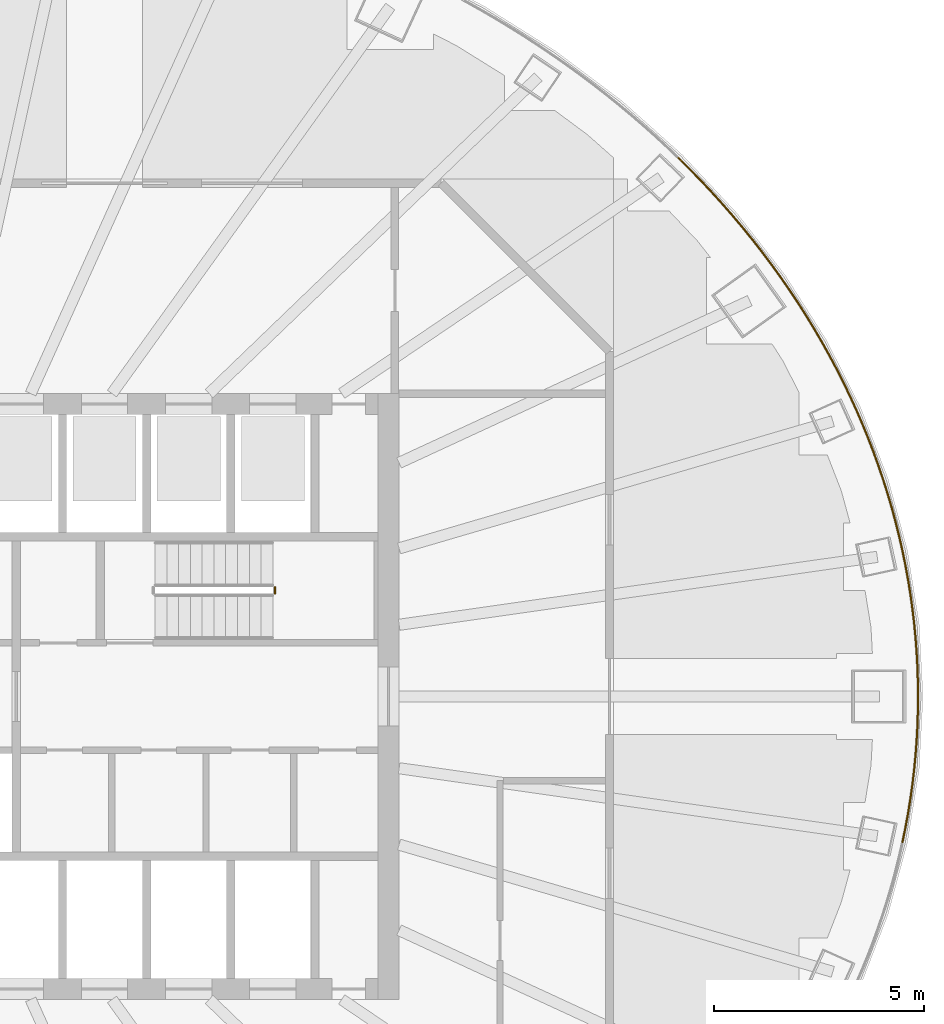
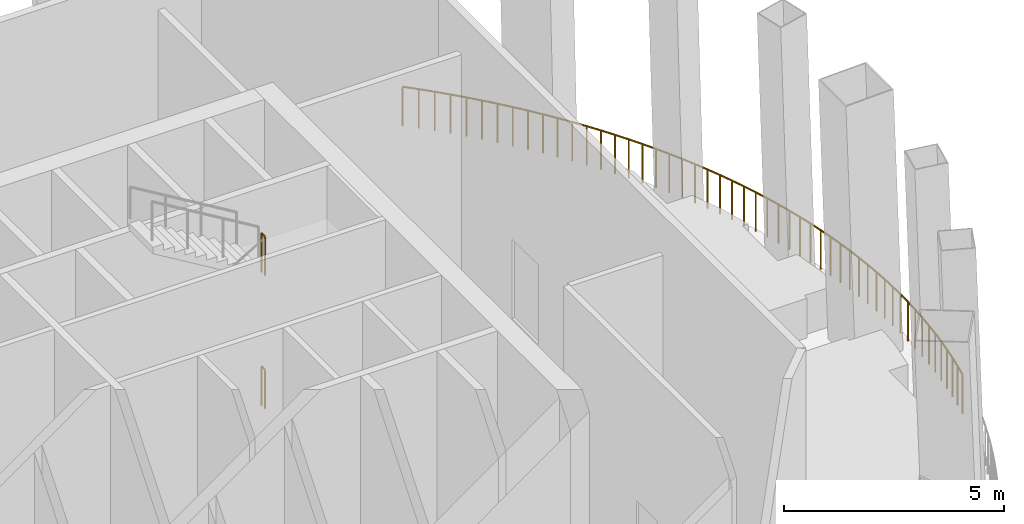
# One storey, part 12 of 15: 7 railings.
"""IFC4 building model written with IfcOpenShell, lengths in metres."""

from ifc_helpers import new_model, si_unit, direction, frame, origin, origin_2d, place, context, subcontext, project, spatial, circle, extrude, material, type_object, element, save


model = new_model("IFC4")

# Units and contexts
model_context = context("Model", 3, precision=1e-05, world=origin(), true_north=direction((0.0, 1.0)))
body_context = subcontext(model_context, "Body", "Model", "MODEL_VIEW")
ifc_project = project(units=[si_unit("LENGTHUNIT", "METRE"), si_unit("AREAUNIT", "SQUARE_METRE"), si_unit("VOLUMEUNIT", "CUBIC_METRE"), si_unit("PLANEANGLEUNIT", "RADIAN"), si_unit("MASSUNIT", "GRAM", prefix="KILO")], contexts=[model_context])

# Site, building, storey
site_placement = place(None, origin())
site = spatial("IfcSite", under=ifc_project, at=site_placement, CompositionType="ELEMENT")
building_placement = place(site_placement, origin())
building = spatial("IfcBuilding", under=site, at=building_placement, Name="Siaravel Broadcast Tower", CompositionType="ELEMENT")
storey_placement = place(building_placement, frame((0.0, 0.0, 145.199951171875)))
storey = spatial("IfcBuildingStorey", under=building, at=storey_placement, Name="L35", CompositionType="ELEMENT", Elevation=145.199951171875)

# Railings
ifc_material_1 = material(Name="Steel S355", Category="steel")
railing_type_1 = type_object("IfcRailingType", Name="Guard 1100", PredefinedType="GUARDRAIL", material=ifc_material_1)
railing_1_placement = place(storey_placement, frame((24.332763671875, 0.0, 0.080078125)))
element("IfcRailing", 1, at=railing_1_placement, inside=storey, type_object=railing_type_1, Name="L35 sky garden guard 01", PredefinedType="GUARDRAIL", context=body_context, shape_type="SweptSolid", body=[
    extrude(circle(Radius=0.02392578125, at=origin_2d()), frame((0.0, 0.0, 1.076171875), z_axis=(-0.010540525, 0.999944447, 0.0), x_axis=(-0.999944447, -0.010540525, 0.0)), (0.0, 0.0, 1.0), 0.347412109375),
    extrude(circle(Radius=0.02392578125, at=origin_2d()), frame((-0.003662109375, 0.347412109375, 1.076171875), z_axis=(-0.031607531, 0.999500357, 0.0), x_axis=(-0.999500357, -0.031607531, 0.0)), (0.0, 0.0, 1.0), 0.34765625),
    extrude(circle(Radius=0.02392578125, at=origin_2d()), frame((-0.0146484375, 0.69482421875, 1.076171875), z_axis=(-0.053369681, 0.998574823, 0.0), x_axis=(-0.998574823, -0.053369681, 0.0)), (0.0, 0.0, 1.0), 0.34765625),
    extrude(circle(Radius=0.02392578125, at=origin_2d()), frame((-0.033203125, 1.0419921875, 1.076171875), z_axis=(-0.075086518, 0.997177023, 0.0), x_axis=(-0.997177023, -0.075086518, 0.0)), (0.0, 0.0, 1.0), 0.347900390625),
    extrude(circle(Radius=0.02392578125, at=origin_2d()), frame((-0.059326171875, 1.388916015625, 1.076171875), z_axis=(-0.095471631, 0.995432151, 0.0), x_axis=(-0.995432151, -0.095471631, 0.0)), (0.0, 0.0, 1.0), 0.347900390625),
    extrude(circle(Radius=0.02392578125, at=origin_2d()), frame((-0.092529296875, 1.735107421875, 1.076171875), z_axis=(-0.117044568, 0.993126663, 0.0), x_axis=(-0.993126663, -0.117044568, 0.0)), (0.0, 0.0, 1.0), 0.348388671875),
    extrude(circle(Radius=0.02392578125, at=origin_2d()), frame((-0.13330078125, 2.0810546875, 1.076171875), z_axis=(-0.137892646, 0.990447181, 0.0), x_axis=(-0.990447181, -0.137892646, 0.0)), (0.0, 0.0, 1.0), 0.348876953125),
    extrude(circle(Radius=0.02392578125, at=origin_2d()), frame((-0.181396484375, 2.426513671875, 1.076171875), z_axis=(-0.158836438, 0.98730491, 0.0), x_axis=(-0.98730491, -0.158836438, 0.0)), (0.0, 0.0, 1.0), 0.348876953125),
    extrude(circle(Radius=0.02392578125, at=origin_2d()), frame((-0.23681640625, 2.77099609375, 1.076171875), z_axis=(-0.179685223, 0.983724159, 0.0), x_axis=(-0.983724159, -0.179685223, 0.0)), (0.0, 0.0, 1.0), 0.34912109375),
    extrude(circle(Radius=0.02392578125, at=origin_2d()), frame((-0.299560546875, 3.114501953125, 1.076171875), z_axis=(-0.200274453, 0.979739835, 0.0), x_axis=(-0.979739835, -0.200274453, 0.0)), (0.0, 0.0, 1.0), 0.349853515625),
    extrude(circle(Radius=0.02099609375, at=origin_2d()), origin(), (0.0, 0.0, 1.0), 1.052001953125),
    extrude(circle(Radius=0.02099609375, at=origin_2d()), frame((-0.003662109375, 0.347412109375, 0.0)), (0.0, 0.0, 1.0), 1.052001953125),
    extrude(circle(Radius=0.02099609375, at=origin_2d()), frame((-0.0146484375, 0.69482421875, 0.0)), (0.0, 0.0, 1.0), 1.052001953125),
    extrude(circle(Radius=0.02099609375, at=origin_2d()), frame((-0.033203125, 1.0419921875, 0.0)), (0.0, 0.0, 1.0), 1.052001953125),
    extrude(circle(Radius=0.02099609375, at=origin_2d()), frame((-0.059326171875, 1.388916015625, 0.0)), (0.0, 0.0, 1.0), 1.052001953125),
    extrude(circle(Radius=0.02099609375, at=origin_2d()), frame((-0.092529296875, 1.735107421875, 0.0)), (0.0, 0.0, 1.0), 1.052001953125),
    extrude(circle(Radius=0.02099609375, at=origin_2d()), frame((-0.13330078125, 2.0810546875, 0.0)), (0.0, 0.0, 1.0), 1.052001953125),
    extrude(circle(Radius=0.02099609375, at=origin_2d()), frame((-0.181396484375, 2.426513671875, 0.0)), (0.0, 0.0, 1.0), 1.052001953125),
    extrude(circle(Radius=0.02099609375, at=origin_2d()), frame((-0.23681640625, 2.77099609375, 0.0)), (0.0, 0.0, 1.0), 1.052001953125),
    extrude(circle(Radius=0.02099609375, at=origin_2d()), frame((-0.299560546875, 3.114501953125, 0.0)), (0.0, 0.0, 1.0), 1.052001953125),
    extrude(circle(Radius=0.02099609375, at=origin_2d()), frame((-0.36962890625, 3.457275390625, 0.0)), (0.0, 0.0, 1.0), 1.052001953125),
])
railing_2_placement = place(storey_placement, frame((23.963134765625, 3.457275390625, 0.080078125)))
element("IfcRailing", 2, at=railing_2_placement, inside=storey, type_object=railing_type_1, Name="L35 sky garden guard 02", PredefinedType="GUARDRAIL", context=body_context, shape_type="SweptSolid", body=[
    extrude(circle(Radius=0.02392578125, at=origin_2d()), frame((0.0, 0.0, 1.076171875), z_axis=(-0.220988304, 0.975276458, 0.0), x_axis=(-0.975276458, -0.220988304, 0.0)), (0.0, 0.0, 1.0), 0.35009765625),
    extrude(circle(Radius=0.02392578125, at=origin_2d()), frame((-0.077392578125, 0.341552734375, 1.076171875), z_axis=(-0.241389684, 0.970428267, 0.0), x_axis=(-0.970428267, -0.241389684, 0.0)), (0.0, 0.0, 1.0), 0.35107421875),
    extrude(circle(Radius=0.02392578125, at=origin_2d()), frame((-0.162109375, 0.68212890625, 1.076171875), z_axis=(-0.261118919, 0.965306641, 0.0), x_axis=(-0.965306641, -0.261118919, 0.0)), (0.0, 0.0, 1.0), 0.3515625),
    extrude(circle(Radius=0.02392578125, at=origin_2d()), frame((-0.25390625, 1.021484375, 1.076171875), z_axis=(-0.281490592, 0.959563988, 0.0), x_axis=(-0.959563988, -0.281490592, 0.0)), (0.0, 0.0, 1.0), 0.35205078125),
    extrude(circle(Radius=0.02392578125, at=origin_2d()), frame((-0.35302734375, 1.359375, 1.076171875), z_axis=(-0.301661126, 0.953415211, 0.0), x_axis=(-0.953415211, -0.301661126, 0.0)), (0.0, 0.0, 1.0), 0.352783203125),
    extrude(circle(Radius=0.02392578125, at=origin_2d()), frame((-0.45947265625, 1.69580078125, 1.076171875), z_axis=(-0.32119679, 0.947012472, 0.0), x_axis=(-0.947012472, -0.32119679, 0.0)), (0.0, 0.0, 1.0), 0.353515625),
    extrude(circle(Radius=0.02392578125, at=origin_2d()), frame((-0.572998046875, 2.030517578125, 1.076171875), z_axis=(-0.340304572, 0.940315265, 0.0), x_axis=(-0.940315265, -0.340304572, 0.0)), (0.0, 0.0, 1.0), 0.3544921875),
    extrude(circle(Radius=0.02392578125, at=origin_2d()), frame((-0.693603515625, 2.36376953125, 1.076171875), z_axis=(-0.359624078, 0.933097274, 0.0), x_axis=(-0.933097274, -0.359624078, 0.0)), (0.0, 0.0, 1.0), 0.35498046875),
    extrude(circle(Radius=0.02392578125, at=origin_2d()), frame((-0.8212890625, 2.695068359375, 1.076171875), z_axis=(-0.378472655, 0.925612472, 0.0), x_axis=(-0.925612472, -0.378472655, 0.0)), (0.0, 0.0, 1.0), 0.35595703125),
    extrude(circle(Radius=0.02392578125, at=origin_2d()), frame((-0.9560546875, 3.024658203125, 1.076171875), z_axis=(-0.396724251, 0.917937835, 0.0), x_axis=(-0.917937835, -0.396724251, 0.0)), (0.0, 0.0, 1.0), 0.35693359375),
    extrude(circle(Radius=0.02099609375, at=origin_2d()), origin(), (0.0, 0.0, 1.0), 1.052001953125),
    extrude(circle(Radius=0.02099609375, at=origin_2d()), frame((-0.077392578125, 0.341552734375, 0.0)), (0.0, 0.0, 1.0), 1.052001953125),
    extrude(circle(Radius=0.02099609375, at=origin_2d()), frame((-0.162109375, 0.68212890625, 0.0)), (0.0, 0.0, 1.0), 1.052001953125),
    extrude(circle(Radius=0.02099609375, at=origin_2d()), frame((-0.25390625, 1.021484375, 0.0)), (0.0, 0.0, 1.0), 1.052001953125),
    extrude(circle(Radius=0.02099609375, at=origin_2d()), frame((-0.35302734375, 1.359375, 0.0)), (0.0, 0.0, 1.0), 1.052001953125),
    extrude(circle(Radius=0.02099609375, at=origin_2d()), frame((-0.45947265625, 1.69580078125, 0.0)), (0.0, 0.0, 1.0), 1.052001953125),
    extrude(circle(Radius=0.02099609375, at=origin_2d()), frame((-0.572998046875, 2.030517578125, 0.0)), (0.0, 0.0, 1.0), 1.052001953125),
    extrude(circle(Radius=0.02099609375, at=origin_2d()), frame((-0.693603515625, 2.36376953125, 0.0)), (0.0, 0.0, 1.0), 1.052001953125),
    extrude(circle(Radius=0.02099609375, at=origin_2d()), frame((-0.8212890625, 2.695068359375, 0.0)), (0.0, 0.0, 1.0), 1.052001953125),
    extrude(circle(Radius=0.02099609375, at=origin_2d()), frame((-0.9560546875, 3.024658203125, 0.0)), (0.0, 0.0, 1.0), 1.052001953125),
    extrude(circle(Radius=0.02099609375, at=origin_2d()), frame((-1.09765625, 3.352294921875, 0.0)), (0.0, 0.0, 1.0), 1.052001953125),
])
railing_3_placement = place(storey_placement, frame((22.865478515625, 6.8095703125, 0.080078125)))
element("IfcRailing", 3, at=railing_3_placement, inside=storey, type_object=railing_type_1, Name="L35 sky garden guard 03", PredefinedType="GUARDRAIL", context=body_context, shape_type="SweptSolid", body=[
    extrude(circle(Radius=0.02392578125, at=origin_2d()), frame((0.0, 0.0, 1.076171875), z_axis=(-0.416114394, 0.909312274, 0.0), x_axis=(-0.909312274, -0.416114394, 0.0)), (0.0, 0.0, 1.0), 0.35791015625),
    extrude(circle(Radius=0.02392578125, at=origin_2d()), frame((-0.14892578125, 0.325439453125, 1.076171875), z_axis=(-0.43354957, 0.901129719, 0.0), x_axis=(-0.901129719, -0.43354957, 0.0)), (0.0, 0.0, 1.0), 0.358642578125),
    extrude(circle(Radius=0.02392578125, at=origin_2d()), frame((-0.304443359375, 0.648681640625, 1.076171875), z_axis=(-0.451820833, 0.892108701, 0.0), x_axis=(-0.892108701, -0.451820833, 0.0)), (0.0, 0.0, 1.0), 0.35986328125),
    extrude(circle(Radius=0.02392578125, at=origin_2d()), frame((-0.467041015625, 0.9697265625, 1.076171875), z_axis=(-0.469534429, 0.882914164, 0.0), x_axis=(-0.882914164, -0.469534429, 0.0)), (0.0, 0.0, 1.0), 0.36083984375),
    extrude(circle(Radius=0.02392578125, at=origin_2d()), frame((-0.636474609375, 1.288330078125, 1.076171875), z_axis=(-0.486158101, 0.873870872, 0.0), x_axis=(-0.873870872, -0.486158101, 0.0)), (0.0, 0.0, 1.0), 0.362060546875),
    extrude(circle(Radius=0.02392578125, at=origin_2d()), frame((-0.8125, 1.604736328125, 1.076171875), z_axis=(-0.503871026, 0.863778901, 0.0), x_axis=(-0.863778901, -0.503871026, 0.0)), (0.0, 0.0, 1.0), 0.36279296875),
    extrude(circle(Radius=0.02392578125, at=origin_2d()), frame((-0.995361328125, 1.918212890625, 1.076171875), z_axis=(-0.520202124, 0.854043178, 0.0), x_axis=(-0.854043178, -0.520202124, 0.0)), (0.0, 0.0, 1.0), 0.3642578125),
    extrude(circle(Radius=0.02392578125, at=origin_2d()), frame((-1.184814453125, 2.229248046875, 1.076171875), z_axis=(-0.536832233, 0.843689014, 0.0), x_axis=(-0.843689014, -0.536832233, 0.0)), (0.0, 0.0, 1.0), 0.365234375),
    extrude(circle(Radius=0.02392578125, at=origin_2d()), frame((-1.380859375, 2.537353515625, 1.076171875), z_axis=(-0.552854278, 0.833277953, 0.0), x_axis=(-0.833277953, -0.552854278, 0.0)), (0.0, 0.0, 1.0), 0.366455078125),
    extrude(circle(Radius=0.02392578125, at=origin_2d()), frame((-1.58349609375, 2.8427734375, 1.076171875), z_axis=(-0.56886476, 0.822431082, 0.0), x_axis=(-0.822431082, -0.56886476, 0.0)), (0.0, 0.0, 1.0), 0.367919921875),
    extrude(circle(Radius=0.02099609375, at=origin_2d()), origin(), (0.0, 0.0, 1.0), 1.052001953125),
    extrude(circle(Radius=0.02099609375, at=origin_2d()), frame((-0.14892578125, 0.325439453125, 0.0)), (0.0, 0.0, 1.0), 1.052001953125),
    extrude(circle(Radius=0.02099609375, at=origin_2d()), frame((-0.304443359375, 0.648681640625, 0.0)), (0.0, 0.0, 1.0), 1.052001953125),
    extrude(circle(Radius=0.02099609375, at=origin_2d()), frame((-0.467041015625, 0.9697265625, 0.0)), (0.0, 0.0, 1.0), 1.052001953125),
    extrude(circle(Radius=0.02099609375, at=origin_2d()), frame((-0.636474609375, 1.288330078125, 0.0)), (0.0, 0.0, 1.0), 1.052001953125),
    extrude(circle(Radius=0.02099609375, at=origin_2d()), frame((-0.8125, 1.604736328125, 0.0)), (0.0, 0.0, 1.0), 1.052001953125),
    extrude(circle(Radius=0.02099609375, at=origin_2d()), frame((-0.995361328125, 1.918212890625, 0.0)), (0.0, 0.0, 1.0), 1.052001953125),
    extrude(circle(Radius=0.02099609375, at=origin_2d()), frame((-1.184814453125, 2.229248046875, 0.0)), (0.0, 0.0, 1.0), 1.052001953125),
    extrude(circle(Radius=0.02099609375, at=origin_2d()), frame((-1.380859375, 2.537353515625, 0.0)), (0.0, 0.0, 1.0), 1.052001953125),
    extrude(circle(Radius=0.02099609375, at=origin_2d()), frame((-1.58349609375, 2.8427734375, 0.0)), (0.0, 0.0, 1.0), 1.052001953125),
    extrude(circle(Radius=0.02099609375, at=origin_2d()), frame((-1.792724609375, 3.145263671875, 0.0)), (0.0, 0.0, 1.0), 1.052001953125),
])
railing_4_placement = place(storey_placement, frame((21.07275390625, 9.954833984375, 0.080078125)))
element("IfcRailing", 4, at=railing_4_placement, inside=storey, type_object=railing_type_1, Name="L35 sky garden guard 04", PredefinedType="GUARDRAIL", context=body_context, shape_type="SweptSolid", body=[
    extrude(circle(Radius=0.02392578125, at=origin_2d()), frame((0.0, 0.0, 1.076171875), z_axis=(-0.583990715, 0.811760337, 0.0), x_axis=(-0.811760337, -0.583990715, 0.0)), (0.0, 0.0, 1.0), 0.36865234375),
    extrude(circle(Radius=0.02392578125, at=origin_2d()), frame((-0.21533203125, 0.29931640625, 1.076171875), z_axis=(-0.599366818, 0.800474496, 0.0), x_axis=(-0.800474496, -0.599366818, 0.0)), (0.0, 0.0, 1.0), 0.370361328125),
    extrude(circle(Radius=0.02392578125, at=origin_2d()), frame((-0.437255859375, 0.595703125, 1.076171875), z_axis=(-0.614623017, 0.788820985, 0.0), x_axis=(-0.788820985, -0.614623017, 0.0)), (0.0, 0.0, 1.0), 0.371337890625),
    extrude(circle(Radius=0.02392578125, at=origin_2d()), frame((-0.66552734375, 0.888671875, 1.076171875), z_axis=(-0.628840132, 0.777534622, 0.0), x_axis=(-0.777534622, -0.628840132, 0.0)), (0.0, 0.0, 1.0), 0.372802734375),
    extrude(circle(Radius=0.02392578125, at=origin_2d()), frame((-0.89990234375, 1.178466796875, 1.076171875), z_axis=(-0.64306959, 0.765807745, 0.0), x_axis=(-0.765807745, -0.64306959, 0.0)), (0.0, 0.0, 1.0), 0.3740234375),
    extrude(circle(Radius=0.02392578125, at=origin_2d()), frame((-1.140380859375, 1.46484375, 1.076171875), z_axis=(-0.65735304, 0.753582763, 0.0), x_axis=(-0.753582763, -0.65735304, 0.0)), (0.0, 0.0, 1.0), 0.37548828125),
    extrude(circle(Radius=0.02392578125, at=origin_2d()), frame((-1.38720703125, 1.747802734375, 1.076171875), z_axis=(-0.670539669, 0.741873677, 0.0), x_axis=(-0.741873677, -0.670539669, 0.0)), (0.0, 0.0, 1.0), 0.37646484375),
    extrude(circle(Radius=0.02392578125, at=origin_2d()), frame((-1.6396484375, 2.027099609375, 1.076171875), z_axis=(-0.684134508, 0.729355863, 0.0), x_axis=(-0.729355863, -0.684134508, 0.0)), (0.0, 0.0, 1.0), 0.3779296875),
    extrude(circle(Radius=0.02392578125, at=origin_2d()), frame((-1.898193359375, 2.302734375, 1.076171875), z_axis=(-0.697060011, 0.71701279, 0.0), x_axis=(-0.71701279, -0.697060011, 0.0)), (0.0, 0.0, 1.0), 0.37939453125),
    extrude(circle(Radius=0.02392578125, at=origin_2d()), frame((-2.16259765625, 2.57470703125, 1.076171875), z_axis=(-0.709987017, 0.704214765, 0.0), x_axis=(-0.704214765, -0.709987017, 0.0)), (0.0, 0.0, 1.0), 0.380615234375),
    extrude(circle(Radius=0.02099609375, at=origin_2d()), origin(), (0.0, 0.0, 1.0), 1.052001953125),
    extrude(circle(Radius=0.02099609375, at=origin_2d()), frame((-0.21533203125, 0.29931640625, 0.0)), (0.0, 0.0, 1.0), 1.052001953125),
    extrude(circle(Radius=0.02099609375, at=origin_2d()), frame((-0.437255859375, 0.595703125, 0.0)), (0.0, 0.0, 1.0), 1.052001953125),
    extrude(circle(Radius=0.02099609375, at=origin_2d()), frame((-0.66552734375, 0.888671875, 0.0)), (0.0, 0.0, 1.0), 1.052001953125),
    extrude(circle(Radius=0.02099609375, at=origin_2d()), frame((-0.89990234375, 1.178466796875, 0.0)), (0.0, 0.0, 1.0), 1.052001953125),
    extrude(circle(Radius=0.02099609375, at=origin_2d()), frame((-1.140380859375, 1.46484375, 0.0)), (0.0, 0.0, 1.0), 1.052001953125),
    extrude(circle(Radius=0.02099609375, at=origin_2d()), frame((-1.38720703125, 1.747802734375, 0.0)), (0.0, 0.0, 1.0), 1.052001953125),
    extrude(circle(Radius=0.02099609375, at=origin_2d()), frame((-1.6396484375, 2.027099609375, 0.0)), (0.0, 0.0, 1.0), 1.052001953125),
    extrude(circle(Radius=0.02099609375, at=origin_2d()), frame((-1.898193359375, 2.302734375, 0.0)), (0.0, 0.0, 1.0), 1.052001953125),
    extrude(circle(Radius=0.02099609375, at=origin_2d()), frame((-2.16259765625, 2.57470703125, 0.0)), (0.0, 0.0, 1.0), 1.052001953125),
    extrude(circle(Radius=0.02099609375, at=origin_2d()), frame((-2.432861328125, 2.8427734375, 0.0)), (0.0, 0.0, 1.0), 1.052001953125),
])
railing_5_placement = place(storey_placement, frame((23.963134765625, -3.457275390625, 0.080078125)))
element("IfcRailing", 5, at=railing_5_placement, inside=storey, type_object=railing_type_1, Name="L35 sky garden guard 36", PredefinedType="GUARDRAIL", context=body_context, shape_type="SweptSolid", body=[
    extrude(circle(Radius=0.02392578125, at=origin_2d()), frame((0.0, 0.0, 1.076171875), z_axis=(0.200274453, 0.979739835, 0.0), x_axis=(-0.979739835, 0.200274453, 0.0)), (0.0, 0.0, 1.0), 0.349853515625),
    extrude(circle(Radius=0.02392578125, at=origin_2d()), frame((0.070068359375, 0.3427734375, 1.076171875), z_axis=(0.179685223, 0.983724159, 0.0), x_axis=(-0.983724159, 0.179685223, 0.0)), (0.0, 0.0, 1.0), 0.34912109375),
    extrude(circle(Radius=0.02392578125, at=origin_2d()), frame((0.1328125, 0.686279296875, 1.076171875), z_axis=(0.158836438, 0.98730491, 0.0), x_axis=(-0.98730491, 0.158836438, 0.0)), (0.0, 0.0, 1.0), 0.348876953125),
    extrude(circle(Radius=0.02392578125, at=origin_2d()), frame((0.188232421875, 1.03076171875, 1.076171875), z_axis=(0.137892646, 0.990447181, 0.0), x_axis=(-0.990447181, 0.137892646, 0.0)), (0.0, 0.0, 1.0), 0.348876953125),
    extrude(circle(Radius=0.02392578125, at=origin_2d()), frame((0.236328125, 1.376220703125, 1.076171875), z_axis=(0.117044568, 0.993126663, 0.0), x_axis=(-0.993126663, 0.117044568, 0.0)), (0.0, 0.0, 1.0), 0.348388671875),
    extrude(circle(Radius=0.02392578125, at=origin_2d()), frame((0.277099609375, 1.72216796875, 1.076171875), z_axis=(0.095471631, 0.995432151, 0.0), x_axis=(-0.995432151, 0.095471631, 0.0)), (0.0, 0.0, 1.0), 0.347900390625),
    extrude(circle(Radius=0.02392578125, at=origin_2d()), frame((0.310302734375, 2.068359375, 1.076171875), z_axis=(0.075086518, 0.997177023, 0.0), x_axis=(-0.997177023, 0.075086518, 0.0)), (0.0, 0.0, 1.0), 0.347900390625),
    extrude(circle(Radius=0.02392578125, at=origin_2d()), frame((0.33642578125, 2.415283203125, 1.076171875), z_axis=(0.053369681, 0.998574823, 0.0), x_axis=(-0.998574823, 0.053369681, 0.0)), (0.0, 0.0, 1.0), 0.34765625),
    extrude(circle(Radius=0.02392578125, at=origin_2d()), frame((0.35498046875, 2.762451171875, 1.076171875), z_axis=(0.031607531, 0.999500357, 0.0), x_axis=(-0.999500357, 0.031607531, 0.0)), (0.0, 0.0, 1.0), 0.34765625),
    extrude(circle(Radius=0.02392578125, at=origin_2d()), frame((0.365966796875, 3.10986328125, 1.076171875), z_axis=(0.010540525, 0.999944447, 0.0), x_axis=(-0.999944447, 0.010540525, 0.0)), (0.0, 0.0, 1.0), 0.347412109375),
    extrude(circle(Radius=0.02099609375, at=origin_2d()), origin(), (0.0, 0.0, 1.0), 1.052001953125),
    extrude(circle(Radius=0.02099609375, at=origin_2d()), frame((0.070068359375, 0.3427734375, 0.0)), (0.0, 0.0, 1.0), 1.052001953125),
    extrude(circle(Radius=0.02099609375, at=origin_2d()), frame((0.1328125, 0.686279296875, 0.0)), (0.0, 0.0, 1.0), 1.052001953125),
    extrude(circle(Radius=0.02099609375, at=origin_2d()), frame((0.188232421875, 1.03076171875, 0.0)), (0.0, 0.0, 1.0), 1.052001953125),
    extrude(circle(Radius=0.02099609375, at=origin_2d()), frame((0.236328125, 1.376220703125, 0.0)), (0.0, 0.0, 1.0), 1.052001953125),
    extrude(circle(Radius=0.02099609375, at=origin_2d()), frame((0.277099609375, 1.72216796875, 0.0)), (0.0, 0.0, 1.0), 1.052001953125),
    extrude(circle(Radius=0.02099609375, at=origin_2d()), frame((0.310302734375, 2.068359375, 0.0)), (0.0, 0.0, 1.0), 1.052001953125),
    extrude(circle(Radius=0.02099609375, at=origin_2d()), frame((0.33642578125, 2.415283203125, 0.0)), (0.0, 0.0, 1.0), 1.052001953125),
    extrude(circle(Radius=0.02099609375, at=origin_2d()), frame((0.35498046875, 2.762451171875, 0.0)), (0.0, 0.0, 1.0), 1.052001953125),
    extrude(circle(Radius=0.02099609375, at=origin_2d()), frame((0.365966796875, 3.10986328125, 0.0)), (0.0, 0.0, 1.0), 1.052001953125),
    extrude(circle(Radius=0.02099609375, at=origin_2d()), frame((0.36962890625, 3.457275390625, 0.0)), (0.0, 0.0, 1.0), 1.052001953125),
])
ifc_material_2 = material(Name="Stainless steel 316L", Category="steel")
railing_type_2 = type_object("IfcRailingType", Name="Stair guard 1100", PredefinedType="GUARDRAIL", material=ifc_material_2)
for number, where, name in (
    (6, (9.050048828125, 2.449951171875, 1.85009765625), "L35 ST-2 stair guard 2"),
    (7, (9.050048828125, 2.449951171875, 5.550048828125), "L35 ST-2 stair guard 6"),
):
    element("IfcRailing", number, at=place(storey_placement, frame(where)), inside=storey, type_object=railing_type_2, Name=name, PredefinedType="GUARDRAIL", context=body_context, shape_type="SweptSolid", body=[
        extrude(circle(Radius=0.02392578125, at=origin_2d()), frame((0.0, 0.0, 1.076171875), z_axis=(0.0, 1.0, 0.0), x_axis=(-1.0, 0.0, 0.0)), (0.0, 0.0, 1.0), 0.150146484375),
        extrude(circle(Radius=0.02099609375, at=origin_2d()), origin(), (0.0, 0.0, 1.0), 1.052001953125),
        extrude(circle(Radius=0.02099609375, at=origin_2d()), frame((0.0, 0.150146484375, 0.0)), (0.0, 0.0, 1.0), 1.052001953125),
    ])

save(model, "model.ifc")
